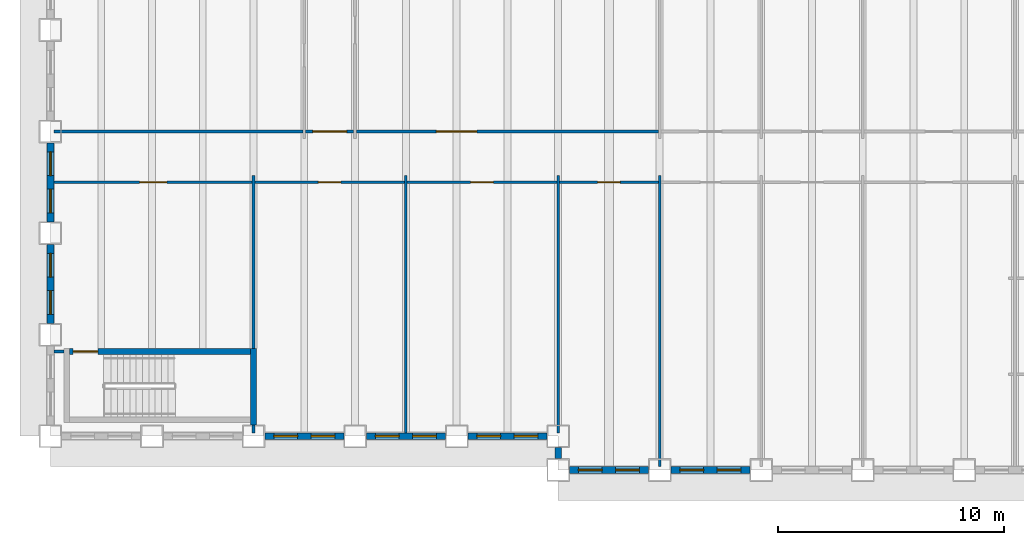
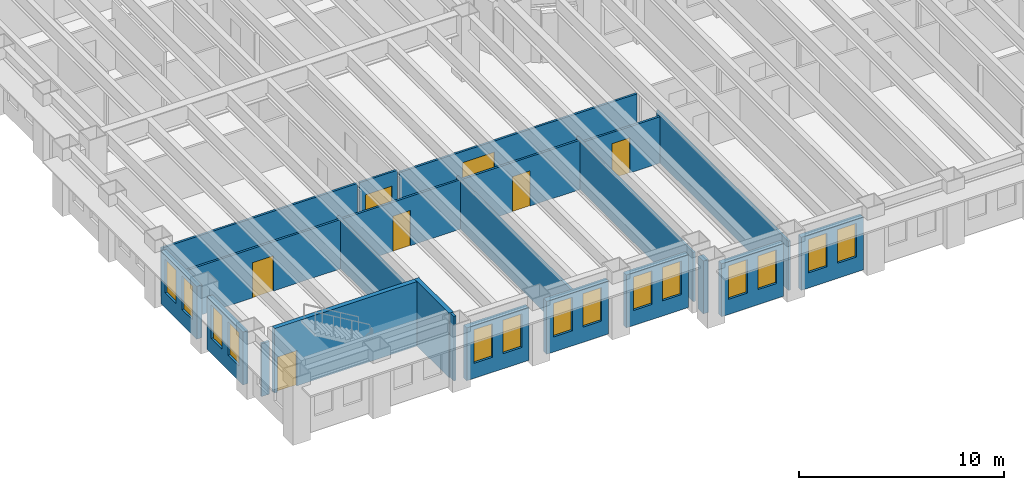
# One storey, part 3 of 16: 23 walls, 14 windows, 7 doors, 21 openings.
"""IFC4 building model written with IfcOpenShell, lengths in metres."""

from ifc_helpers import new_model, si_unit, direction, frame, frame_2d, origin, place, context, subcontext, project, spatial, rectangle, extrude, material, layer, layer_set, type_object, element, fill, save


model = new_model("IFC4")

# Units and contexts
model_context = context("Model", 3, precision=1e-05, world=origin(), true_north=direction((0.0, 1.0)))
body_context = subcontext(model_context, "Body", "Model", "MODEL_VIEW")
ifc_project = project(units=[si_unit("LENGTHUNIT", "METRE"), si_unit("AREAUNIT", "SQUARE_METRE"), si_unit("VOLUMEUNIT", "CUBIC_METRE"), si_unit("PLANEANGLEUNIT", "RADIAN"), si_unit("MASSUNIT", "GRAM", prefix="KILO")], contexts=[model_context])

# Site, building, storey
site_placement = place(None, origin())
site = spatial("IfcSite", under=ifc_project, at=site_placement, CompositionType="ELEMENT")
building_placement = place(site_placement, origin())
building = spatial("IfcBuilding", under=site, at=building_placement, Name="Sennacour Bend Tower", CompositionType="ELEMENT")
storey_placement = place(building_placement, frame((0.0, 0.0, 83.0)))
storey = spatial("IfcBuildingStorey", under=building, at=storey_placement, Name="L18", CompositionType="ELEMENT", Elevation=83.0)

# Walls
ifc_material_1 = material(Name="Plasterboard partition on steel studs", Category="steel")
ifc_layer_1 = layer(ifc_material_1, 0.1201171875, Name="Plasterboard partition on steel studs", Category="steel")
ifc_layer_set_1 = layer_set([ifc_layer_1], Name="Plasterboard partition on steel studs")
wall_type_1 = type_object("IfcWallType", Name="Partition 120", PredefinedType="PARTITIONING", material=ifc_layer_set_1)
wall_1_placement = place(storey_placement, frame((9.0, 0.14990234375, 0.0), z_axis=(0.0, 0.0, 1.0), x_axis=(0.0, 1.0, 0.0)))
element("IfcWall", 1, at=wall_1_placement, inside=storey, type_object=wall_type_1, Name="P-L18-W010a", PredefinedType="PARTITIONING", context=body_context, shape_type="SweptSolid", body=[
    extrude(rectangle(XDim=0.35009765625, YDim=0.1201171875, at=frame_2d((0.175048828125, 0.0))), origin(), (0.0, 0.0, 1.0), 3.85009765625),
])
wall_2_placement = place(storey_placement, frame((9.0, 3.875, 0.0), z_axis=(0.0, 0.0, 1.0), x_axis=(0.0, 1.0, 0.0)))
element("IfcWall", 2, at=wall_2_placement, inside=storey, type_object=wall_type_1, Name="P-L18-W012a", PredefinedType="PARTITIONING", context=body_context, shape_type="SweptSolid", body=[
    extrude(rectangle(XDim=7.675048828125, YDim=0.1201171875, at=frame_2d((3.83740234375, 0.0))), origin(), (0.0, 0.0, 1.0), 2.93798828125),
])
for number, where, z_axis, x_axis, name in (
    (3, (15.75, 0.14990234375, 0.0), (0.0, 0.0, 1.0), (0.0, 1.0, 0.0), "P-L18-W020a"),
    (4, (22.5, 0.14990234375, 0.0), (0.0, 0.0, 1.0), (0.0, 1.0, 0.0), "P-L18-W024a"),
):
    element("IfcWall", number, at=place(storey_placement, frame(where, z_axis=z_axis, x_axis=x_axis)), inside=storey, type_object=wall_type_1, Name=name, PredefinedType="PARTITIONING", context=body_context, shape_type="SweptSolid", body=[
        extrude(rectangle(XDim=11.400146484375, YDim=0.1201171875, at=frame_2d((5.7001953125, 0.0))), origin(), (0.0, 0.0, 1.0), 2.93798828125),
    ])
wall_3_placement = place(storey_placement, frame((27.0, -1.35009765625, 0.0), z_axis=(0.0, 0.0, 1.0), x_axis=(0.0, 1.0, 0.0)))
element("IfcWall", 5, at=wall_3_placement, inside=storey, type_object=wall_type_1, Name="P-L18-W026a", PredefinedType="PARTITIONING", context=body_context, shape_type="SweptSolid", body=[
    extrude(rectangle(XDim=12.900146484375, YDim=0.1201171875, at=frame_2d((6.4501953125, 0.0))), origin(), (0.0, 0.0, 1.0), 2.93798828125),
])
wall_4_placement = place(storey_placement, frame((0.14990234375, 3.75, 0.0), z_axis=(0.0, 0.0, 1.0), x_axis=(1.0, 0.0, 0.0)))
element("IfcWall", 6, at=wall_4_placement, inside=storey, type_object=wall_type_1, Name="P-L18-W050a", PredefinedType="PARTITIONING", context=body_context, shape_type="SweptSolid", body=[
    extrude(rectangle(XDim=0.4501953125, YDim=0.1201171875, at=frame_2d((0.22509765625, 0.0))), origin(), (0.0, 0.0, 1.0), 3.154052734375),
])

# Wall, opening, door
wall_5_placement = place(storey_placement, frame((9.06005859375, 11.25, 0.0), z_axis=(0.0, 0.0, 1.0), x_axis=(1.0, 0.0, 0.0)))
wall_5 = element("IfcWall", 7, at=wall_5_placement, inside=storey, type_object=wall_type_1, Name="P-L18-W058ab", PredefinedType="PARTITIONING", context=body_context, shape_type="SweptSolid", body=[
    extrude(rectangle(XDim=6.6298828125, YDim=0.1201171875, at=frame_2d((3.31494140625, 0.0))), origin(), (0.0, 0.0, 1.0), 2.93798828125),
])
opening_1_placement = place(wall_5_placement, frame((2.81494140625, 0.0, 0.0)))
opening_1 = element("IfcOpeningElement", 8, at=opening_1_placement, cuts=wall_5, Name="Opening OD2", PredefinedType="OPENING", context=body_context, shape_type="SweptSolid", body=[
    extrude(rectangle(XDim=1.0, YDim=2.10009765625, at=frame_2d((0.5, 1.050048828125))), frame((0.0, 0.070068359375, 0.0), z_axis=(0.0, -1.0, 0.0), x_axis=(1.0, 0.0, 0.0)), (0.0, 0.0, 1.0), 0.14013671875),
])
ifc_material_2 = material(Name="Timber", Category="wood")
door_type_1 = type_object("IfcDoorType", Name="DR-OFFICE-1000", OperationType="NOTDEFINED", PredefinedType="DOOR", material=ifc_material_2)
door_1_placement = place(opening_1_placement, origin())
door_1 = element("IfcDoor", 9, at=door_1_placement, inside=storey, type_object=door_type_1, Name="Door", OperationType="SINGLE_SWING_LEFT", OverallHeight=2.10009765625, OverallWidth=1.0, PredefinedType="DOOR", context=body_context, shape_type="SweptSolid", body=[
    extrude(rectangle(XDim=1.0, YDim=2.10009765625, at=frame_2d((0.5, 1.050048828125))), frame((0.0, 0.02490234375, 0.0), z_axis=(0.0, -1.0, 0.0), x_axis=(1.0, 0.0, 0.0)), (0.0, 0.0, 1.0), 0.050048828125),
])
fill(opening_1, door_1)

wall_6_placement = place(storey_placement, frame((15.81005859375, 11.25, 0.0), z_axis=(0.0, 0.0, 1.0), x_axis=(1.0, 0.0, 0.0)))
wall_6 = element("IfcWall", 10, at=wall_6_placement, inside=storey, type_object=wall_type_1, Name="P-L18-W058ac", PredefinedType="PARTITIONING", context=body_context, shape_type="SweptSolid", body=[
    extrude(rectangle(XDim=6.6298828125, YDim=0.1201171875, at=frame_2d((3.31494140625, 0.0))), origin(), (0.0, 0.0, 1.0), 2.93798828125),
])
opening_2_placement = place(wall_6_placement, frame((2.81494140625, 0.0, 0.0)))
opening_2 = element("IfcOpeningElement", 11, at=opening_2_placement, cuts=wall_6, Name="Opening OD2", PredefinedType="OPENING", context=body_context, shape_type="SweptSolid", body=[
    extrude(rectangle(XDim=1.0, YDim=2.10009765625, at=frame_2d((0.5, 1.050048828125))), frame((0.0, 0.070068359375, 0.0), z_axis=(0.0, -1.0, 0.0), x_axis=(1.0, 0.0, 0.0)), (0.0, 0.0, 1.0), 0.14013671875),
])
door_2_placement = place(opening_2_placement, origin())
door_2 = element("IfcDoor", 12, at=door_2_placement, inside=storey, type_object=door_type_1, Name="Door", OperationType="SINGLE_SWING_LEFT", OverallHeight=2.10009765625, OverallWidth=1.0, PredefinedType="DOOR", context=body_context, shape_type="SweptSolid", body=[
    extrude(rectangle(XDim=1.0, YDim=2.10009765625, at=frame_2d((0.5, 1.050048828125))), frame((0.0, 0.02490234375, 0.0), z_axis=(0.0, -1.0, 0.0), x_axis=(1.0, 0.0, 0.0)), (0.0, 0.0, 1.0), 0.050048828125),
])
fill(opening_2, door_2)

wall_7_placement = place(storey_placement, frame((22.56005859375, 11.25, 0.0), z_axis=(0.0, 0.0, 1.0), x_axis=(1.0, 0.0, 0.0)))
wall_7 = element("IfcWall", 13, at=wall_7_placement, inside=storey, type_object=wall_type_1, Name="P-L18-W058ad", PredefinedType="PARTITIONING", context=body_context, shape_type="SweptSolid", body=[
    extrude(rectangle(XDim=4.3798828125, YDim=0.1201171875, at=frame_2d((2.18994140625, 0.0))), origin(), (0.0, 0.0, 1.0), 2.760009765625),
])
opening_3_placement = place(wall_7_placement, frame((1.68994140625, 0.0, 0.0)))
opening_3 = element("IfcOpeningElement", 14, at=opening_3_placement, cuts=wall_7, Name="Opening OD2", PredefinedType="OPENING", context=body_context, shape_type="SweptSolid", body=[
    extrude(rectangle(XDim=1.0, YDim=2.10009765625, at=frame_2d((0.5, 1.050048828125))), frame((0.0, 0.070068359375, 0.0), z_axis=(0.0, -1.0, 0.0), x_axis=(1.0, 0.0, 0.0)), (0.0, 0.0, 1.0), 0.14013671875),
])
door_3_placement = place(opening_3_placement, origin())
door_3 = element("IfcDoor", 15, at=door_3_placement, inside=storey, type_object=door_type_1, Name="Door", OperationType="SINGLE_SWING_LEFT", OverallHeight=2.10009765625, OverallWidth=1.0, PredefinedType="DOOR", context=body_context, shape_type="SweptSolid", body=[
    extrude(rectangle(XDim=1.0, YDim=2.10009765625, at=frame_2d((0.5, 1.050048828125))), frame((0.0, 0.02490234375, 0.0), z_axis=(0.0, -1.0, 0.0), x_axis=(1.0, 0.0, 0.0)), (0.0, 0.0, 1.0), 0.050048828125),
])
fill(opening_3, door_3)

# Wall
wall_8_placement = place(storey_placement, frame((0.14990234375, 13.5, 0.0), z_axis=(0.0, 0.0, 1.0), x_axis=(1.0, 0.0, 0.0)))
element("IfcWall", 16, at=wall_8_placement, inside=storey, type_object=wall_type_1, Name="P-L18-W060aa", PredefinedType="PARTITIONING", context=body_context, shape_type="SweptSolid", body=[
    extrude(rectangle(XDim=11.0400390625, YDim=0.1201171875, at=frame_2d((5.52001953125, 0.0))), origin(), (0.0, 0.0, 1.0), 2.93798828125),
])

# Wall, opening, door
wall_9_placement = place(storey_placement, frame((13.56005859375, 13.5, 0.0), z_axis=(0.0, 0.0, 1.0), x_axis=(1.0, 0.0, 0.0)))
wall_9 = element("IfcWall", 17, at=wall_9_placement, inside=storey, type_object=wall_type_1, Name="P-L18-W060ac", PredefinedType="PARTITIONING", context=body_context, shape_type="SweptSolid", body=[
    extrude(rectangle(XDim=13.3798828125, YDim=0.1201171875, at=frame_2d((6.68994140625, 0.0))), origin(), (0.0, 0.0, 1.0), 2.760009765625),
])
opening_4_placement = place(wall_9_placement, frame((3.539794921875, 0.0, 0.0)))
opening_4 = element("IfcOpeningElement", 18, at=opening_4_placement, cuts=wall_9, Name="Opening OD3", PredefinedType="OPENING", context=body_context, shape_type="SweptSolid", body=[
    extrude(rectangle(XDim=1.800048828125, YDim=2.10009765625, at=frame_2d((0.89990234375, 1.050048828125))), frame((0.0, 0.070068359375, 0.0), z_axis=(0.0, -1.0, 0.0), x_axis=(1.0, 0.0, 0.0)), (0.0, 0.0, 1.0), 0.14013671875),
])
door_type_2 = type_object("IfcDoorType", Name="DR-OFFICE-1800", OperationType="NOTDEFINED", PredefinedType="DOOR", material=ifc_material_2)
door_4_placement = place(opening_4_placement, origin())
door_4 = element("IfcDoor", 19, at=door_4_placement, inside=storey, type_object=door_type_2, Name="Door", OperationType="DOUBLE_DOOR_SINGLE_SWING", OverallHeight=2.10009765625, OverallWidth=1.800048828125, PredefinedType="DOOR", context=body_context, shape_type="SweptSolid", body=[
    extrude(rectangle(XDim=1.800048828125, YDim=2.10009765625, at=frame_2d((0.89990234375, 1.050048828125))), frame((0.0, 0.02490234375, 0.0), z_axis=(0.0, -1.0, 0.0), x_axis=(1.0, 0.0, 0.0)), (0.0, 0.0, 1.0), 0.050048828125),
])
fill(opening_4, door_4)

ifc_layer_2 = layer(ifc_material_1, 0.1201171875, Name="Plasterboard partition on steel studs", Category="steel")
ifc_layer_set_2 = layer_set([ifc_layer_2], Name="Plasterboard partition on steel studs")
wall_type_2 = type_object("IfcWallType", Name="Partition 120 EI 30", PredefinedType="PARTITIONING", material=ifc_layer_set_2)
wall_10_placement = place(storey_placement, frame((0.14990234375, 11.25, 0.0), z_axis=(0.0, 0.0, 1.0), x_axis=(1.0, 0.0, 0.0)))
wall_10 = element("IfcWall", 20, at=wall_10_placement, inside=storey, type_object=wall_type_2, Name="P-L18-W058aa", PredefinedType="PARTITIONING", context=body_context, shape_type="SweptSolid", body=[
    extrude(rectangle(XDim=8.7900390625, YDim=0.1201171875, at=frame_2d((4.39501953125, 0.0))), origin(), (0.0, 0.0, 1.0), 2.93798828125),
])
opening_5_placement = place(wall_10_placement, frame((3.80517578125, 0.0, 0.0)))
opening_5 = element("IfcOpeningElement", 21, at=opening_5_placement, cuts=wall_10, Name="Opening KD2", PredefinedType="OPENING", context=body_context, shape_type="SweptSolid", body=[
    extrude(rectangle(XDim=1.199951171875, YDim=2.10009765625, at=frame_2d((0.60009765625, 1.050048828125))), frame((0.0, 0.070068359375, 0.0), z_axis=(0.0, -1.0, 0.0), x_axis=(1.0, 0.0, 0.0)), (0.0, 0.0, 1.0), 0.14013671875),
])
ifc_material_3 = material(Name="Painted steel", Category="steel")
door_type_3 = type_object("IfcDoorType", Name="DR-CORRIDOR-1200", OperationType="NOTDEFINED", PredefinedType="DOOR", material=ifc_material_3)
door_5_placement = place(opening_5_placement, origin())
door_5 = element("IfcDoor", 22, at=door_5_placement, inside=storey, type_object=door_type_3, Name="Door", OperationType="SINGLE_SWING_LEFT", OverallHeight=2.10009765625, OverallWidth=1.199951171875, PredefinedType="DOOR", context=body_context, shape_type="SweptSolid", body=[
    extrude(rectangle(XDim=1.199951171875, YDim=2.10009765625, at=frame_2d((0.60009765625, 1.050048828125))), frame((0.0, 0.02490234375, 0.0), z_axis=(0.0, -1.0, 0.0), x_axis=(1.0, 0.0, 0.0)), (0.0, 0.0, 1.0), 0.050048828125),
])
fill(opening_5, door_5)

wall_11_placement = place(storey_placement, frame((11.31005859375, 13.5, 0.0), z_axis=(0.0, 0.0, 1.0), x_axis=(1.0, 0.0, 0.0)))
wall_11 = element("IfcWall", 23, at=wall_11_placement, inside=storey, type_object=wall_type_2, Name="P-L18-W060ab", PredefinedType="PARTITIONING", context=body_context, shape_type="SweptSolid", body=[
    extrude(rectangle(XDim=2.1298828125, YDim=0.1201171875, at=frame_2d((1.06494140625, 0.0))), origin(), (0.0, 0.0, 1.0), 2.93798828125),
])
opening_6_placement = place(wall_11_placement, frame((0.31494140625, 0.0, 0.0)))
opening_6 = element("IfcOpeningElement", 24, at=opening_6_placement, cuts=wall_11, Name="Opening KD", PredefinedType="OPENING", context=body_context, shape_type="SweptSolid", body=[
    extrude(rectangle(XDim=1.5, YDim=2.10009765625, at=frame_2d((0.75, 1.050048828125))), frame((0.0, 0.070068359375, 0.0), z_axis=(0.0, -1.0, 0.0), x_axis=(1.0, 0.0, 0.0)), (0.0, 0.0, 1.0), 0.14013671875),
])
door_type_4 = type_object("IfcDoorType", Name="DR-CORRIDOR-1500", OperationType="NOTDEFINED", PredefinedType="DOOR", material=ifc_material_3)
door_6_placement = place(opening_6_placement, origin())
door_6 = element("IfcDoor", 25, at=door_6_placement, inside=storey, type_object=door_type_4, Name="Door", OperationType="SINGLE_SWING_LEFT", OverallHeight=2.10009765625, OverallWidth=1.5, PredefinedType="DOOR", context=body_context, shape_type="SweptSolid", body=[
    extrude(rectangle(XDim=1.5, YDim=2.10009765625, at=frame_2d((0.75, 1.050048828125))), frame((0.0, 0.02490234375, 0.0), z_axis=(0.0, -1.0, 0.0), x_axis=(1.0, 0.0, 0.0)), (0.0, 0.0, 1.0), 0.050048828125),
])
fill(opening_6, door_6)

# Wall, openings, windows
ifc_material_4 = material(Name="Warm limestone cladding", Category="masonry")
ifc_layer_3 = layer(ifc_material_4, 0.050048828125, Name="Warm limestone cladding", Category="masonry")
ifc_material_5 = material(Name="Precast concrete C40/50", Category="concrete")
ifc_layer_4 = layer(ifc_material_5, 0.25, Name="Precast concrete C40/50", Category="concrete")
ifc_layer_set_3 = layer_set([ifc_layer_3, ifc_layer_4], Name="Precast concrete C40/50 with limestone cladding")
wall_type_3 = type_object("IfcWallType", Name="STONE-CLAD PRECAST SPANDREL 300", PredefinedType="STANDARD", material=ifc_layer_set_3)
wall_12_placement = place(storey_placement, frame((23.0, -1.5, 0.0), z_axis=(0.0, 0.0, 1.0), x_axis=(1.0, 0.0, 0.0)))
wall_12 = element("IfcWall", 26, at=wall_12_placement, inside=storey, type_object=wall_type_3, Name="Stone spandrel and pier wall L18 00.00", PredefinedType="STANDARD", context=body_context, shape_type="SweptSolid", body=[
    extrude(rectangle(XDim=3.5, YDim=0.300048828125, at=frame_2d((1.75, 0.0))), origin(), (0.0, 0.0, 1.0), 3.154052734375),
])
opening_7_placement = place(wall_12_placement, frame((0.39990234375, 0.0, 0.89990234375)))
opening_7 = element("IfcOpeningElement", 27, at=opening_7_placement, cuts=wall_12, Name="Opening W13", PredefinedType="OPENING", context=body_context, shape_type="SweptSolid", body=[
    extrude(rectangle(XDim=1.050048828125, YDim=2.0, at=frame_2d((0.52490234375, 1.0))), frame((0.0, 0.16015625, 0.0), z_axis=(0.0, -1.0, 0.0), x_axis=(1.0, 0.0, 0.0)), (0.0, 0.0, 1.0), 0.320068359375),
])
opening_8_placement = place(wall_12_placement, frame((2.050048828125, 0.0, 0.89990234375)))
opening_8 = element("IfcOpeningElement", 28, at=opening_8_placement, cuts=wall_12, Name="Opening W13", PredefinedType="OPENING", context=body_context, shape_type="SweptSolid", body=[
    extrude(rectangle(XDim=1.050048828125, YDim=2.0, at=frame_2d((0.52490234375, 1.0))), frame((0.0, 0.16015625, 0.0), z_axis=(0.0, -1.0, 0.0), x_axis=(1.0, 0.0, 0.0)), (0.0, 0.0, 1.0), 0.320068359375),
])
ifc_material_6 = material(Name="Clear low-emissivity glass", Category="glass")
window_type = type_object("IfcWindowType", Name="WIN-RIBBON-1050x2000", PartitioningType="SINGLE_PANEL", PredefinedType="WINDOW", material=ifc_material_6)
window_1_placement = place(opening_7_placement, origin())
window_1 = element("IfcWindow", 29, at=window_1_placement, inside=storey, type_object=window_type, Name="Ribbon window L18 00.00.0", OverallHeight=2.0, OverallWidth=1.050048828125, PartitioningType="SINGLE_PANEL", PredefinedType="WINDOW", context=body_context, shape_type="SweptSolid", body=[
    extrude(rectangle(XDim=1.050048828125, YDim=2.0, at=frame_2d((0.52490234375, 1.0))), frame((0.0, 0.030029296875, 0.0), z_axis=(0.0, -1.0, 0.0), x_axis=(1.0, 0.0, 0.0)), (0.0, 0.0, 1.0), 0.06005859375),
])
fill(opening_7, window_1)
window_2_placement = place(opening_8_placement, origin())
window_2 = element("IfcWindow", 30, at=window_2_placement, inside=storey, type_object=window_type, Name="Ribbon window L18 00.00.1", OverallHeight=2.0, OverallWidth=1.050048828125, PartitioningType="SINGLE_PANEL", PredefinedType="WINDOW", context=body_context, shape_type="SweptSolid", body=[
    extrude(rectangle(XDim=1.050048828125, YDim=2.0, at=frame_2d((0.52490234375, 1.0))), frame((0.0, 0.030029296875, 0.0), z_axis=(0.0, -1.0, 0.0), x_axis=(1.0, 0.0, 0.0)), (0.0, 0.0, 1.0), 0.06005859375),
])
fill(opening_8, window_2)

wall_13_placement = place(storey_placement, frame((27.5, -1.5, 0.0), z_axis=(0.0, 0.0, 1.0), x_axis=(1.0, 0.0, 0.0)))
wall_13 = element("IfcWall", 31, at=wall_13_placement, inside=storey, type_object=wall_type_3, Name="Stone spandrel and pier wall L18 00.01", PredefinedType="STANDARD", context=body_context, shape_type="SweptSolid", body=[
    extrude(rectangle(XDim=3.5, YDim=0.300048828125, at=frame_2d((1.75, 0.0))), origin(), (0.0, 0.0, 1.0), 3.154052734375),
])
opening_9_placement = place(wall_13_placement, frame((0.39990234375, 0.0, 0.89990234375)))
opening_9 = element("IfcOpeningElement", 32, at=opening_9_placement, cuts=wall_13, Name="Opening W13", PredefinedType="OPENING", context=body_context, shape_type="SweptSolid", body=[
    extrude(rectangle(XDim=1.050048828125, YDim=2.0, at=frame_2d((0.52490234375, 1.0))), frame((0.0, 0.16015625, 0.0), z_axis=(0.0, -1.0, 0.0), x_axis=(1.0, 0.0, 0.0)), (0.0, 0.0, 1.0), 0.320068359375),
])
opening_10_placement = place(wall_13_placement, frame((2.050048828125, 0.0, 0.89990234375)))
opening_10 = element("IfcOpeningElement", 33, at=opening_10_placement, cuts=wall_13, Name="Opening W13", PredefinedType="OPENING", context=body_context, shape_type="SweptSolid", body=[
    extrude(rectangle(XDim=1.050048828125, YDim=2.0, at=frame_2d((0.52490234375, 1.0))), frame((0.0, 0.16015625, 0.0), z_axis=(0.0, -1.0, 0.0), x_axis=(1.0, 0.0, 0.0)), (0.0, 0.0, 1.0), 0.320068359375),
])
window_3_placement = place(opening_9_placement, origin())
window_3 = element("IfcWindow", 34, at=window_3_placement, inside=storey, type_object=window_type, Name="Ribbon window L18 00.01.0", OverallHeight=2.0, OverallWidth=1.050048828125, PartitioningType="SINGLE_PANEL", PredefinedType="WINDOW", context=body_context, shape_type="SweptSolid", body=[
    extrude(rectangle(XDim=1.050048828125, YDim=2.0, at=frame_2d((0.52490234375, 1.0))), frame((0.0, 0.030029296875, 0.0), z_axis=(0.0, -1.0, 0.0), x_axis=(1.0, 0.0, 0.0)), (0.0, 0.0, 1.0), 0.06005859375),
])
fill(opening_9, window_3)
window_4_placement = place(opening_10_placement, origin())
window_4 = element("IfcWindow", 35, at=window_4_placement, inside=storey, type_object=window_type, Name="Ribbon window L18 00.01.1", OverallHeight=2.0, OverallWidth=1.050048828125, PartitioningType="SINGLE_PANEL", PredefinedType="WINDOW", context=body_context, shape_type="SweptSolid", body=[
    extrude(rectangle(XDim=1.050048828125, YDim=2.0, at=frame_2d((0.52490234375, 1.0))), frame((0.0, 0.030029296875, 0.0), z_axis=(0.0, -1.0, 0.0), x_axis=(1.0, 0.0, 0.0)), (0.0, 0.0, 1.0), 0.06005859375),
])
fill(opening_10, window_4)

wall_14_placement = place(storey_placement, frame((0.0, 13.0, 0.0), z_axis=(0.0, 0.0, 1.0), x_axis=(0.0, -1.0, 0.0)))
wall_14 = element("IfcWall", 36, at=wall_14_placement, inside=storey, type_object=wall_type_3, Name="Stone spandrel and pier wall L18 21.02", PredefinedType="STANDARD", context=body_context, shape_type="SweptSolid", body=[
    extrude(rectangle(XDim=3.5, YDim=0.300048828125, at=frame_2d((1.75, 0.0))), origin(), (0.0, 0.0, 1.0), 3.154052734375),
])
opening_11_placement = place(wall_14_placement, frame((0.39990234375, 0.0, 0.89990234375)))
opening_11 = element("IfcOpeningElement", 37, at=opening_11_placement, cuts=wall_14, Name="Opening W13", PredefinedType="OPENING", context=body_context, shape_type="SweptSolid", body=[
    extrude(rectangle(XDim=1.050048828125, YDim=2.0, at=frame_2d((0.52490234375, 1.0))), frame((0.0, 0.16015625, 0.0), z_axis=(0.0, -1.0, 0.0), x_axis=(1.0, 0.0, 0.0)), (0.0, 0.0, 1.0), 0.320068359375),
])
opening_12_placement = place(wall_14_placement, frame((2.050048828125, 0.0, 0.89990234375)))
opening_12 = element("IfcOpeningElement", 38, at=opening_12_placement, cuts=wall_14, Name="Opening W13", PredefinedType="OPENING", context=body_context, shape_type="SweptSolid", body=[
    extrude(rectangle(XDim=1.050048828125, YDim=2.0, at=frame_2d((0.52490234375, 1.0))), frame((0.0, 0.16015625, 0.0), z_axis=(0.0, -1.0, 0.0), x_axis=(1.0, 0.0, 0.0)), (0.0, 0.0, 1.0), 0.320068359375),
])
window_5_placement = place(opening_11_placement, origin())
window_5 = element("IfcWindow", 39, at=window_5_placement, inside=storey, type_object=window_type, Name="Ribbon window L18 21.02.0", OverallHeight=2.0, OverallWidth=1.050048828125, PartitioningType="SINGLE_PANEL", PredefinedType="WINDOW", context=body_context, shape_type="SweptSolid", body=[
    extrude(rectangle(XDim=1.050048828125, YDim=2.0, at=frame_2d((0.52490234375, 1.0))), frame((0.0, 0.030029296875, 0.0), z_axis=(0.0, -1.0, 0.0), x_axis=(1.0, 0.0, 0.0)), (0.0, 0.0, 1.0), 0.06005859375),
])
fill(opening_11, window_5)
window_6_placement = place(opening_12_placement, origin())
window_6 = element("IfcWindow", 40, at=window_6_placement, inside=storey, type_object=window_type, Name="Ribbon window L18 21.02.1", OverallHeight=2.0, OverallWidth=1.050048828125, PartitioningType="SINGLE_PANEL", PredefinedType="WINDOW", context=body_context, shape_type="SweptSolid", body=[
    extrude(rectangle(XDim=1.050048828125, YDim=2.0, at=frame_2d((0.52490234375, 1.0))), frame((0.0, 0.030029296875, 0.0), z_axis=(0.0, -1.0, 0.0), x_axis=(1.0, 0.0, 0.0)), (0.0, 0.0, 1.0), 0.06005859375),
])
fill(opening_12, window_6)

wall_15_placement = place(storey_placement, frame((0.0, 8.5, 0.0), z_axis=(0.0, 0.0, 1.0), x_axis=(0.0, -1.0, 0.0)))
wall_15 = element("IfcWall", 41, at=wall_15_placement, inside=storey, type_object=wall_type_3, Name="Stone spandrel and pier wall L18 21.03", PredefinedType="STANDARD", context=body_context, shape_type="SweptSolid", body=[
    extrude(rectangle(XDim=3.5, YDim=0.300048828125, at=frame_2d((1.75, 0.0))), origin(), (0.0, 0.0, 1.0), 3.154052734375),
])
opening_13_placement = place(wall_15_placement, frame((0.39990234375, 0.0, 0.89990234375)))
opening_13 = element("IfcOpeningElement", 42, at=opening_13_placement, cuts=wall_15, Name="Opening W13", PredefinedType="OPENING", context=body_context, shape_type="SweptSolid", body=[
    extrude(rectangle(XDim=1.050048828125, YDim=2.0, at=frame_2d((0.52490234375, 1.0))), frame((0.0, 0.16015625, 0.0), z_axis=(0.0, -1.0, 0.0), x_axis=(1.0, 0.0, 0.0)), (0.0, 0.0, 1.0), 0.320068359375),
])
opening_14_placement = place(wall_15_placement, frame((2.050048828125, 0.0, 0.89990234375)))
opening_14 = element("IfcOpeningElement", 43, at=opening_14_placement, cuts=wall_15, Name="Opening W13", PredefinedType="OPENING", context=body_context, shape_type="SweptSolid", body=[
    extrude(rectangle(XDim=1.050048828125, YDim=2.0, at=frame_2d((0.52490234375, 1.0))), frame((0.0, 0.16015625, 0.0), z_axis=(0.0, -1.0, 0.0), x_axis=(1.0, 0.0, 0.0)), (0.0, 0.0, 1.0), 0.320068359375),
])
window_7_placement = place(opening_13_placement, origin())
window_7 = element("IfcWindow", 44, at=window_7_placement, inside=storey, type_object=window_type, Name="Ribbon window L18 21.03.0", OverallHeight=2.0, OverallWidth=1.050048828125, PartitioningType="SINGLE_PANEL", PredefinedType="WINDOW", context=body_context, shape_type="SweptSolid", body=[
    extrude(rectangle(XDim=1.050048828125, YDim=2.0, at=frame_2d((0.52490234375, 1.0))), frame((0.0, 0.030029296875, 0.0), z_axis=(0.0, -1.0, 0.0), x_axis=(1.0, 0.0, 0.0)), (0.0, 0.0, 1.0), 0.06005859375),
])
fill(opening_13, window_7)
window_8_placement = place(opening_14_placement, origin())
window_8 = element("IfcWindow", 45, at=window_8_placement, inside=storey, type_object=window_type, Name="Ribbon window L18 21.03.1", OverallHeight=2.0, OverallWidth=1.050048828125, PartitioningType="SINGLE_PANEL", PredefinedType="WINDOW", context=body_context, shape_type="SweptSolid", body=[
    extrude(rectangle(XDim=1.050048828125, YDim=2.0, at=frame_2d((0.52490234375, 1.0))), frame((0.0, 0.030029296875, 0.0), z_axis=(0.0, -1.0, 0.0), x_axis=(1.0, 0.0, 0.0)), (0.0, 0.0, 1.0), 0.06005859375),
])
fill(opening_14, window_8)

wall_16_placement = place(storey_placement, frame((9.5, 0.0, 0.0), z_axis=(0.0, 0.0, 1.0), x_axis=(1.0, 0.0, 0.0)))
wall_16 = element("IfcWall", 46, at=wall_16_placement, inside=storey, type_object=wall_type_3, Name="Stone spandrel and pier wall L18 22.02", PredefinedType="STANDARD", context=body_context, shape_type="SweptSolid", body=[
    extrude(rectangle(XDim=3.5, YDim=0.300048828125, at=frame_2d((1.75, 0.0))), origin(), (0.0, 0.0, 1.0), 3.154052734375),
])
opening_15_placement = place(wall_16_placement, frame((0.39990234375, 0.0, 0.89990234375)))
opening_15 = element("IfcOpeningElement", 47, at=opening_15_placement, cuts=wall_16, Name="Opening W13", PredefinedType="OPENING", context=body_context, shape_type="SweptSolid", body=[
    extrude(rectangle(XDim=1.050048828125, YDim=2.0, at=frame_2d((0.52490234375, 1.0))), frame((0.0, 0.16015625, 0.0), z_axis=(0.0, -1.0, 0.0), x_axis=(1.0, 0.0, 0.0)), (0.0, 0.0, 1.0), 0.320068359375),
])
opening_16_placement = place(wall_16_placement, frame((2.050048828125, 0.0, 0.89990234375)))
opening_16 = element("IfcOpeningElement", 48, at=opening_16_placement, cuts=wall_16, Name="Opening W13", PredefinedType="OPENING", context=body_context, shape_type="SweptSolid", body=[
    extrude(rectangle(XDim=1.050048828125, YDim=2.0, at=frame_2d((0.52490234375, 1.0))), frame((0.0, 0.16015625, 0.0), z_axis=(0.0, -1.0, 0.0), x_axis=(1.0, 0.0, 0.0)), (0.0, 0.0, 1.0), 0.320068359375),
])
window_9_placement = place(opening_15_placement, origin())
window_9 = element("IfcWindow", 49, at=window_9_placement, inside=storey, type_object=window_type, Name="Ribbon window L18 22.02.0", OverallHeight=2.0, OverallWidth=1.050048828125, PartitioningType="SINGLE_PANEL", PredefinedType="WINDOW", context=body_context, shape_type="SweptSolid", body=[
    extrude(rectangle(XDim=1.050048828125, YDim=2.0, at=frame_2d((0.52490234375, 1.0))), frame((0.0, 0.030029296875, 0.0), z_axis=(0.0, -1.0, 0.0), x_axis=(1.0, 0.0, 0.0)), (0.0, 0.0, 1.0), 0.06005859375),
])
fill(opening_15, window_9)
window_10_placement = place(opening_16_placement, origin())
window_10 = element("IfcWindow", 50, at=window_10_placement, inside=storey, type_object=window_type, Name="Ribbon window L18 22.02.1", OverallHeight=2.0, OverallWidth=1.050048828125, PartitioningType="SINGLE_PANEL", PredefinedType="WINDOW", context=body_context, shape_type="SweptSolid", body=[
    extrude(rectangle(XDim=1.050048828125, YDim=2.0, at=frame_2d((0.52490234375, 1.0))), frame((0.0, 0.030029296875, 0.0), z_axis=(0.0, -1.0, 0.0), x_axis=(1.0, 0.0, 0.0)), (0.0, 0.0, 1.0), 0.06005859375),
])
fill(opening_16, window_10)

wall_17_placement = place(storey_placement, frame((14.0, 0.0, 0.0), z_axis=(0.0, 0.0, 1.0), x_axis=(1.0, 0.0, 0.0)))
wall_17 = element("IfcWall", 51, at=wall_17_placement, inside=storey, type_object=wall_type_3, Name="Stone spandrel and pier wall L18 22.03", PredefinedType="STANDARD", context=body_context, shape_type="SweptSolid", body=[
    extrude(rectangle(XDim=3.5, YDim=0.300048828125, at=frame_2d((1.75, 0.0))), origin(), (0.0, 0.0, 1.0), 3.154052734375),
])
opening_17_placement = place(wall_17_placement, frame((0.39990234375, 0.0, 0.89990234375)))
opening_17 = element("IfcOpeningElement", 52, at=opening_17_placement, cuts=wall_17, Name="Opening W13", PredefinedType="OPENING", context=body_context, shape_type="SweptSolid", body=[
    extrude(rectangle(XDim=1.050048828125, YDim=2.0, at=frame_2d((0.52490234375, 1.0))), frame((0.0, 0.16015625, 0.0), z_axis=(0.0, -1.0, 0.0), x_axis=(1.0, 0.0, 0.0)), (0.0, 0.0, 1.0), 0.320068359375),
])
opening_18_placement = place(wall_17_placement, frame((2.050048828125, 0.0, 0.89990234375)))
opening_18 = element("IfcOpeningElement", 53, at=opening_18_placement, cuts=wall_17, Name="Opening W13", PredefinedType="OPENING", context=body_context, shape_type="SweptSolid", body=[
    extrude(rectangle(XDim=1.050048828125, YDim=2.0, at=frame_2d((0.52490234375, 1.0))), frame((0.0, 0.16015625, 0.0), z_axis=(0.0, -1.0, 0.0), x_axis=(1.0, 0.0, 0.0)), (0.0, 0.0, 1.0), 0.320068359375),
])
window_11_placement = place(opening_17_placement, origin())
window_11 = element("IfcWindow", 54, at=window_11_placement, inside=storey, type_object=window_type, Name="Ribbon window L18 22.03.0", OverallHeight=2.0, OverallWidth=1.050048828125, PartitioningType="SINGLE_PANEL", PredefinedType="WINDOW", context=body_context, shape_type="SweptSolid", body=[
    extrude(rectangle(XDim=1.050048828125, YDim=2.0, at=frame_2d((0.52490234375, 1.0))), frame((0.0, 0.030029296875, 0.0), z_axis=(0.0, -1.0, 0.0), x_axis=(1.0, 0.0, 0.0)), (0.0, 0.0, 1.0), 0.06005859375),
])
fill(opening_17, window_11)
window_12_placement = place(opening_18_placement, origin())
window_12 = element("IfcWindow", 55, at=window_12_placement, inside=storey, type_object=window_type, Name="Ribbon window L18 22.03.1", OverallHeight=2.0, OverallWidth=1.050048828125, PartitioningType="SINGLE_PANEL", PredefinedType="WINDOW", context=body_context, shape_type="SweptSolid", body=[
    extrude(rectangle(XDim=1.050048828125, YDim=2.0, at=frame_2d((0.52490234375, 1.0))), frame((0.0, 0.030029296875, 0.0), z_axis=(0.0, -1.0, 0.0), x_axis=(1.0, 0.0, 0.0)), (0.0, 0.0, 1.0), 0.06005859375),
])
fill(opening_18, window_12)

wall_18_placement = place(storey_placement, frame((18.5, 0.0, 0.0), z_axis=(0.0, 0.0, 1.0), x_axis=(1.0, 0.0, 0.0)))
wall_18 = element("IfcWall", 56, at=wall_18_placement, inside=storey, type_object=wall_type_3, Name="Stone spandrel and pier wall L18 22.04", PredefinedType="STANDARD", context=body_context, shape_type="SweptSolid", body=[
    extrude(rectangle(XDim=3.5, YDim=0.300048828125, at=frame_2d((1.75, 0.0))), origin(), (0.0, 0.0, 1.0), 3.154052734375),
])
opening_19_placement = place(wall_18_placement, frame((0.39990234375, 0.0, 0.89990234375)))
opening_19 = element("IfcOpeningElement", 57, at=opening_19_placement, cuts=wall_18, Name="Opening W13", PredefinedType="OPENING", context=body_context, shape_type="SweptSolid", body=[
    extrude(rectangle(XDim=1.050048828125, YDim=2.0, at=frame_2d((0.52490234375, 1.0))), frame((0.0, 0.16015625, 0.0), z_axis=(0.0, -1.0, 0.0), x_axis=(1.0, 0.0, 0.0)), (0.0, 0.0, 1.0), 0.320068359375),
])
opening_20_placement = place(wall_18_placement, frame((2.050048828125, 0.0, 0.89990234375)))
opening_20 = element("IfcOpeningElement", 58, at=opening_20_placement, cuts=wall_18, Name="Opening W13", PredefinedType="OPENING", context=body_context, shape_type="SweptSolid", body=[
    extrude(rectangle(XDim=1.050048828125, YDim=2.0, at=frame_2d((0.52490234375, 1.0))), frame((0.0, 0.16015625, 0.0), z_axis=(0.0, -1.0, 0.0), x_axis=(1.0, 0.0, 0.0)), (0.0, 0.0, 1.0), 0.320068359375),
])
window_13_placement = place(opening_19_placement, origin())
window_13 = element("IfcWindow", 59, at=window_13_placement, inside=storey, type_object=window_type, Name="Ribbon window L18 22.04.0", OverallHeight=2.0, OverallWidth=1.050048828125, PartitioningType="SINGLE_PANEL", PredefinedType="WINDOW", context=body_context, shape_type="SweptSolid", body=[
    extrude(rectangle(XDim=1.050048828125, YDim=2.0, at=frame_2d((0.52490234375, 1.0))), frame((0.0, 0.030029296875, 0.0), z_axis=(0.0, -1.0, 0.0), x_axis=(1.0, 0.0, 0.0)), (0.0, 0.0, 1.0), 0.06005859375),
])
fill(opening_19, window_13)
window_14_placement = place(opening_20_placement, origin())
window_14 = element("IfcWindow", 60, at=window_14_placement, inside=storey, type_object=window_type, Name="Ribbon window L18 22.04.1", OverallHeight=2.0, OverallWidth=1.050048828125, PartitioningType="SINGLE_PANEL", PredefinedType="WINDOW", context=body_context, shape_type="SweptSolid", body=[
    extrude(rectangle(XDim=1.050048828125, YDim=2.0, at=frame_2d((0.52490234375, 1.0))), frame((0.0, 0.030029296875, 0.0), z_axis=(0.0, -1.0, 0.0), x_axis=(1.0, 0.0, 0.0)), (0.0, 0.0, 1.0), 0.06005859375),
])
fill(opening_20, window_14)

# Walls
wall_19_placement = place(storey_placement, frame((22.5, -0.5, 0.0), z_axis=(0.0, 0.0, 1.0), x_axis=(0.0, -1.0, 0.0)))
element("IfcWall", 61, at=wall_19_placement, inside=storey, type_object=wall_type_3, Name="Stone spandrel and pier wall L18 23.00", PredefinedType="STANDARD", context=body_context, shape_type="SweptSolid", body=[
    extrude(rectangle(XDim=0.5, YDim=0.300048828125, at=frame_2d((0.25, 0.0))), origin(), (0.0, 0.0, 1.0), 3.154052734375),
])
ifc_material_7 = material(Name="Concrete C60/75", Category="concrete")
ifc_layer_5 = layer(ifc_material_7, 0.25, Name="Concrete C60/75", Category="concrete")
ifc_layer_set_4 = layer_set([ifc_layer_5], Name="Concrete C60/75")
wall_type_4 = type_object("IfcWallType", Name="Stair wall 250", PredefinedType="SHEAR", material=ifc_layer_set_4)
wall_20_placement = place(storey_placement, frame((9.0, 0.5, 0.0), z_axis=(0.0, 0.0, 1.0), x_axis=(0.0, 1.0, 0.0)))
element("IfcWall", 62, at=wall_20_placement, inside=storey, type_object=wall_type_4, Name="P-L18-W011", PredefinedType="SHEAR", context=body_context, shape_type="SweptSolid", body=[
    extrude(rectangle(XDim=3.375, YDim=0.25, at=frame_2d((1.6875, 0.0))), origin(), (0.0, 0.0, 1.0), 3.85009765625),
])

# Wall, opening, door
wall_21_placement = place(storey_placement, frame((0.85009765625, 3.75, 0.0), z_axis=(0.0, 0.0, 1.0), x_axis=(1.0, 0.0, 0.0)))
wall_21 = element("IfcWall", 63, at=wall_21_placement, inside=storey, type_object=wall_type_4, Name="P-L18-W051", PredefinedType="SHEAR", context=body_context, shape_type="SweptSolid", body=[
    extrude(rectangle(XDim=8.02490234375, YDim=0.25, at=frame_2d((4.012451171875, 0.0))), origin(), (0.0, 0.0, 1.0), 3.85009765625),
])
opening_21_placement = place(wall_21_placement, frame((0.14990234375, 0.0, 0.0)))
opening_21 = element("IfcOpeningElement", 64, at=opening_21_placement, cuts=wall_21, Name="Opening SD", PredefinedType="OPENING", context=body_context, shape_type="SweptSolid", body=[
    extrude(rectangle(XDim=1.10009765625, YDim=2.10009765625, at=frame_2d((0.550048828125, 1.050048828125))), frame((0.0, 0.135009765625, 0.0), z_axis=(0.0, -1.0, 0.0), x_axis=(1.0, 0.0, 0.0)), (0.0, 0.0, 1.0), 0.27001953125),
])
door_type_5 = type_object("IfcDoorType", Name="DR-STAIR-1100", OperationType="NOTDEFINED", PredefinedType="DOOR", material=ifc_material_3)
door_7_placement = place(opening_21_placement, origin())
door_7 = element("IfcDoor", 65, at=door_7_placement, inside=storey, type_object=door_type_5, Name="Door", OperationType="SINGLE_SWING_LEFT", OverallHeight=2.10009765625, OverallWidth=1.10009765625, PredefinedType="DOOR", context=body_context, shape_type="SweptSolid", body=[
    extrude(rectangle(XDim=1.10009765625, YDim=2.10009765625, at=frame_2d((0.550048828125, 1.050048828125))), frame((0.0, 0.02490234375, 0.0), z_axis=(0.0, -1.0, 0.0), x_axis=(1.0, 0.0, 0.0)), (0.0, 0.0, 1.0), 0.050048828125),
])
fill(opening_21, door_7)

save(model, "model.ifc")
